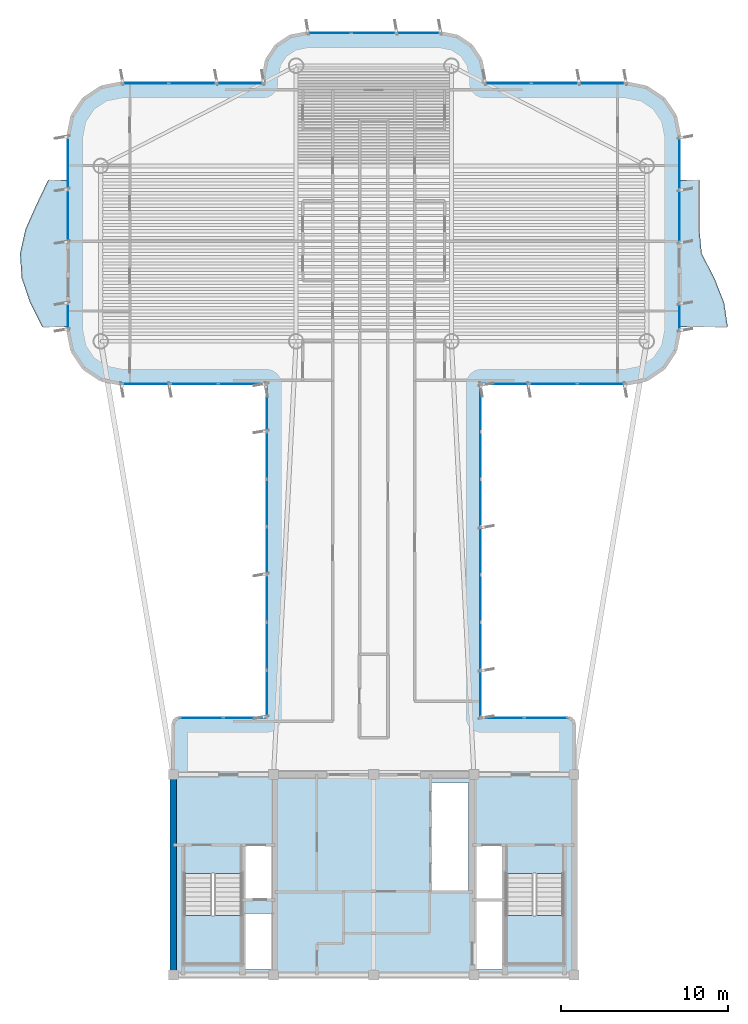
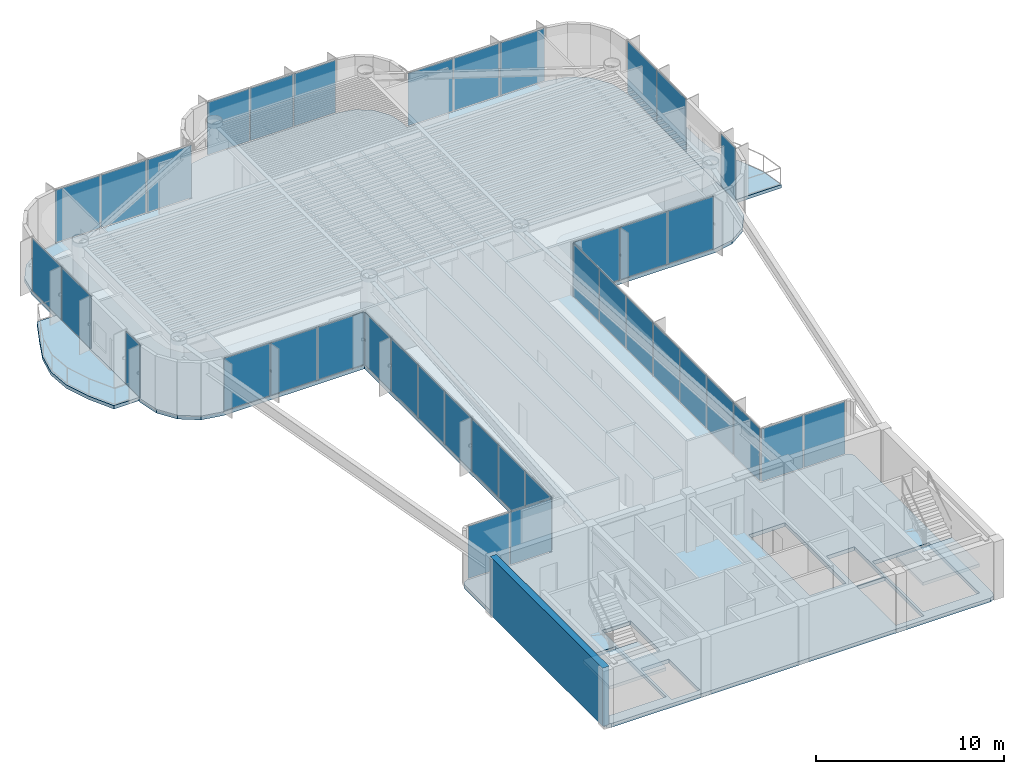
# One storey, part 9 of 16: 39 plates, 5 slabs, 1 wall, 15 elements without a shape of their own.
"""IFC4 building model written with IfcOpenShell, lengths in metres."""

from ifc_helpers import new_model, si_unit, direction, frame, frame_2d, origin, origin_2d, place, context, subcontext, project, spatial, polyline, rectangle, outline, extrude, source, transform, mapped, material, layer, layer_set, type_object, element, aggregate, save


model = new_model("IFC4")

# Units and contexts
model_context = context("Model", 3, precision=1e-05, world=origin(), true_north=direction((0.0, 1.0)))
body_context = subcontext(model_context, "Body", "Model", "MODEL_VIEW")
ifc_project = project(units=[si_unit("LENGTHUNIT", "METRE"), si_unit("AREAUNIT", "SQUARE_METRE"), si_unit("VOLUMEUNIT", "CUBIC_METRE"), si_unit("PLANEANGLEUNIT", "RADIAN"), si_unit("MASSUNIT", "GRAM", prefix="KILO")], contexts=[model_context])

# Site, building, storey
site_placement = place(None, origin())
site = spatial("IfcSite", under=ifc_project, at=site_placement, CompositionType="ELEMENT")
building_placement = place(site_placement, origin())
building = spatial("IfcBuilding", under=site, at=building_placement, Name="Brelvock Crest Care Tower", CompositionType="ELEMENT")
storey_placement = place(building_placement, frame((0.0, 0.0, 230.580078125)))
storey = spatial("IfcBuildingStorey", under=building, at=storey_placement, Name="L58", CompositionType="ELEMENT", Elevation=230.580078125)

# Slabs
ifc_material_1 = material(Name="Concrete N50 (50 MPa)", Category="concrete")
ifc_layer_1 = layer(ifc_material_1, 0.25, Name="SLB-FL3")
ifc_layer_set_1 = layer_set([ifc_layer_1], Name="Concrete N50 (50 MPa)")
slab_type_1 = type_object("IfcSlabType", Name="SLB-FL3", PredefinedType="FLOOR", material=ifc_layer_set_1)
slab_1_placement = place(storey_placement, frame((0.0, 0.0, -0.25)))
element("IfcSlab", 1, at=slab_1_placement, inside=storey, type_object=slab_type_1, Name="L58 Main Structural Slab", PredefinedType="FLOOR", context=body_context, shape_type="SweptSolid", body=[
    extrude(outline(polyline([(47.64990234375, 21.39990234375), (42.39990234375, 21.39990234375), (42.39990234375, 41.39990234375), (51.10009765625, 41.39990234375), (52.32470703125, 41.6435546875), (53.36279296875, 42.33740234375), (54.056396484375, 43.37548828125), (54.300048828125, 44.60009765625), (54.300048828125, 56.199951171875), (54.056396484375, 57.424560546875), (53.36279296875, 58.462646484375), (52.32470703125, 59.156494140625), (51.10009765625, 59.39990234375), (42.60009765625, 59.39990234375), (42.60009765625, 59.800048828125), (42.402099609375, 60.794921875), (41.83837890625, 61.638427734375), (40.9951171875, 62.2021484375), (40.0, 62.39990234375), (32.0, 62.39990234375), (31.0048828125, 62.2021484375), (30.16162109375, 61.638427734375), (29.597900390625, 60.794921875), (29.39990234375, 59.800048828125), (29.39990234375, 59.39990234375), (20.89990234375, 59.39990234375), (19.67529296875, 59.156494140625), (18.63720703125, 58.462646484375), (17.943603515625, 57.424560546875), (17.699951171875, 56.199951171875), (17.699951171875, 44.60009765625), (17.943603515625, 43.37548828125), (18.63720703125, 42.33740234375), (19.67529296875, 41.6435546875), (20.89990234375, 41.39990234375), (29.60009765625, 41.39990234375), (29.60009765625, 21.39990234375), (24.35009765625, 21.39990234375), (24.1025390625, 21.297607421875), (24.0, 21.050048828125), (24.0, 6.35009765625), (24.1025390625, 6.1025390625), (24.35009765625, 6.0), (47.64990234375, 6.0), (47.8974609375, 6.1025390625), (48.0, 6.35009765625), (48.0, 21.050048828125), (47.8974609375, 21.297607421875), (47.64990234375, 21.39990234375)]), holes=[polyline([(28.239990234375, 10.580078125), (29.97998046875, 10.580078125), (29.97998046875, 13.739990234375), (28.239990234375, 13.739990234375), (28.239990234375, 10.580078125)]), polyline([(42.02001953125, 10.580078125), (43.760009765625, 10.580078125), (43.760009765625, 13.739990234375), (42.02001953125, 13.739990234375), (42.02001953125, 10.580078125)]), polyline([(28.239990234375, 6.340087890625), (29.97998046875, 6.340087890625), (29.97998046875, 9.64990234375), (28.239990234375, 9.64990234375), (28.239990234375, 6.340087890625)]), polyline([(24.6298828125, 12.080078125), (24.6298828125, 6.699951171875), (28.110107421875, 6.699951171875), (28.110107421875, 12.080078125), (24.6298828125, 12.080078125)]), polyline([(43.889892578125, 12.080078125), (43.889892578125, 6.699951171875), (47.3701171875, 6.699951171875), (47.3701171875, 12.080078125), (43.889892578125, 12.080078125)]), polyline([(42.02001953125, 6.340087890625), (43.760009765625, 6.340087890625), (43.760009765625, 10.5), (42.02001953125, 10.5), (42.02001953125, 6.340087890625)]), polyline([(39.429931640625, 11.030029296875), (41.669921875, 11.030029296875), (41.669921875, 17.52001953125), (39.429931640625, 17.52001953125), (39.429931640625, 11.030029296875)])]), origin(), (0.0, 0.0, 1.0), 0.25),
])
ifc_layer_2 = layer(ifc_material_1, 0.219970703125, Name="SLB-WB1")
ifc_layer_set_2 = layer_set([ifc_layer_2], Name="Concrete N50 (50 MPa)")
slab_type_2 = type_object("IfcSlabType", Name="SLB-WB1", PredefinedType="FLOOR", material=ifc_layer_set_2)
slab_2_placement = place(storey_placement, frame((0.0, 0.0, -0.219970703125)))
element("IfcSlab", 2, at=slab_2_placement, inside=storey, type_object=slab_type_2, Name="L58 W Sinusoidal Wave Balcony Slab", PredefinedType="FLOOR", context=body_context, shape_type="SweptSolid", body=[
    extrude(outline(polyline([(17.699951171875, 53.60009765625), (16.5, 53.60009765625), (15.800537109375, 52.13330078125), (15.146728515625, 50.666748046875), (14.816650390625, 49.199951171875), (14.916748046875, 47.7333984375), (15.414794921875, 46.2666015625), (16.14990234375, 44.800048828125), (17.699951171875, 44.800048828125), (17.699951171875, 53.60009765625)])), origin(), (0.0, 0.0, 1.0), 0.219970703125),
])
slab_3_placement = place(storey_placement, frame((0.0, 0.0, -0.219970703125)))
element("IfcSlab", 3, at=slab_3_placement, inside=storey, type_object=slab_type_2, Name="L58 E Sinusoidal Wave Balcony Slab", PredefinedType="FLOOR", context=body_context, shape_type="SweptSolid", body=[
    extrude(outline(polyline([(54.300048828125, 44.800048828125), (57.199951171875, 44.800048828125), (56.982177734375, 46.2666015625), (56.399169921875, 47.7333984375), (55.638916015625, 49.199951171875), (55.5, 50.666748046875), (55.5, 52.13330078125), (55.5, 53.60009765625), (54.300048828125, 53.60009765625), (54.300048828125, 44.800048828125)])), origin(), (0.0, 0.0, 1.0), 0.219970703125),
])

# Stair, slab
ifc_material_2 = material(Name="Concrete N40 (40 MPa)", Category="concrete")
stair_type = type_object("IfcStairType", Name="ST-CORE1", PredefinedType="HALF_TURN_STAIR", material=ifc_material_2)
stair_1_placement = place(storey_placement, origin())
stair_1 = element("IfcStair", 4, at=stair_1_placement, inside=storey, type_object=stair_type, Name="L58 Fire-Isolated Core Stair ST-1", PredefinedType="HALF_TURN_STAIR")
ifc_layer_3 = layer(ifc_material_2, 0.199951171875, Name="STL-1")
ifc_layer_set_3 = layer_set([ifc_layer_3], Name="Concrete N40 (40 MPa)")
slab_type_3 = type_object("IfcSlabType", Name="STL-1", PredefinedType="LANDING", material=ifc_layer_set_3)
slab_4_placement = place(storey_placement, frame((0.0, 0.0, 1.68994140625)))
slab_4 = element("IfcSlab", 5, at=slab_4_placement, type_object=slab_type_3, Name="ST-1 landing 1", PredefinedType="LANDING", context=body_context, shape_type="SweptSolid", body=[
    extrude(outline(polyline([(24.6298828125, 9.56005859375), (24.6298828125, 6.699951171875), (28.110107421875, 6.699951171875), (28.110107421875, 9.56005859375), (24.6298828125, 9.56005859375)])), origin(), (0.0, 0.0, 1.0), 0.199951171875),
])
aggregate(stair_1, [slab_4])

stair_2_placement = place(storey_placement, origin())
stair_2 = element("IfcStair", 6, at=stair_2_placement, inside=storey, type_object=stair_type, Name="L58 Fire-Isolated Core Stair ST-2", PredefinedType="HALF_TURN_STAIR")
slab_5_placement = place(storey_placement, frame((0.0, 0.0, 1.68994140625)))
slab_5 = element("IfcSlab", 7, at=slab_5_placement, type_object=slab_type_3, Name="ST-2 landing 1", PredefinedType="LANDING", context=body_context, shape_type="SweptSolid", body=[
    extrude(outline(polyline([(43.889892578125, 9.56005859375), (43.889892578125, 6.699951171875), (47.3701171875, 6.699951171875), (47.3701171875, 9.56005859375), (43.889892578125, 9.56005859375)])), origin(), (0.0, 0.0, 1.0), 0.199951171875),
])
aggregate(stair_2, [slab_5])

# Curtain wall, plates
ifc_material_3 = material(Name="Dark Glass Double Glazed Low-E", Category="glass")
ifc_layer_4 = layer(ifc_material_3, 0.239990234375, Name="CWS-5")
ifc_layer_set_4 = layer_set([ifc_layer_4], Name="Dark Glass Double Glazed Low-E")
curtain_wall_type = type_object("IfcCurtainWallType", Name="CWS-5", PredefinedType="NOTDEFINED", material=ifc_layer_set_4)
curtain_wall_1_placement = place(storey_placement, origin())
curtain_wall_1 = element("IfcCurtainWall", 8, at=curtain_wall_1_placement, inside=storey, type_object=curtain_wall_type, Name="L58 Curtain Wall E10", PredefinedType="NOTDEFINED")
ifc_layer_5 = layer(ifc_material_3, 0.0380859375, Name="CWP-V2")
ifc_layer_set_5 = layer_set([ifc_layer_5], Name="Dark Glass Double Glazed Low-E")
plate_type = type_object("IfcPlateType", Name="CWP-V2", PredefinedType="CURTAIN_PANEL", material=ifc_layer_set_5)
shared_shape_1 = source(origin(), body_context, "Body", "SweptSolid", [
    extrude(rectangle(XDim=2.534912109375, YDim=0.035888671875, at=origin_2d()), origin(), (0.0, 0.0, 1.0), 3.409912109375),
])
plate_1_placement = place(storey_placement, frame((25.677490234375, 21.39990234375, 0.06005859375), z_axis=(0.0, 0.0, 1.0), x_axis=(1.0, 0.0, 0.0)))
plate_1 = element("IfcPlate", 9, at=plate_1_placement, type_object=plate_type, Name="CW-5 panel 1.1", PredefinedType="CURTAIN_PANEL", context=body_context, shape_type="MappedRepresentation", body=[
    mapped(shared_shape_1, transform((0.0, 0.0, 0.0), x_axis=(1.0, 0.0, 0.0), y_axis=(0.0, 1.0, 0.0), z_axis=(0.0, 0.0, 1.0), scale=1.0)),
])
plate_2_placement = place(storey_placement, frame((28.2724609375, 21.39990234375, 0.06005859375), z_axis=(0.0, 0.0, 1.0), x_axis=(1.0, 0.0, 0.0)))
plate_2 = element("IfcPlate", 10, at=plate_2_placement, type_object=plate_type, Name="CW-5 panel 2.1", PredefinedType="CURTAIN_PANEL", context=body_context, shape_type="MappedRepresentation", body=[
    mapped(shared_shape_1, transform((0.0, 0.0, 0.0), x_axis=(1.0, 0.0, 0.0), y_axis=(0.0, 1.0, 0.0), z_axis=(0.0, 0.0, 1.0), scale=1.0)),
])
aggregate(curtain_wall_1, [plate_1, plate_2])

curtain_wall_2_placement = place(storey_placement, origin())
curtain_wall_2 = element("IfcCurtainWall", 11, at=curtain_wall_2_placement, inside=storey, type_object=curtain_wall_type, Name="L58 Curtain Wall E46", PredefinedType="NOTDEFINED")
plate_3_placement = place(storey_placement, frame((43.7275390625, 21.39990234375, 0.06005859375), z_axis=(0.0, 0.0, 1.0), x_axis=(1.0, 0.0, 0.0)))
plate_3 = element("IfcPlate", 12, at=plate_3_placement, type_object=plate_type, Name="CW-5 panel 1.1", PredefinedType="CURTAIN_PANEL", context=body_context, shape_type="MappedRepresentation", body=[
    mapped(shared_shape_1, transform((0.0, 0.0, 0.0), x_axis=(1.0, 0.0, 0.0), y_axis=(0.0, 1.0, 0.0), z_axis=(0.0, 0.0, 1.0), scale=1.0)),
])
plate_4_placement = place(storey_placement, frame((46.322509765625, 21.39990234375, 0.06005859375), z_axis=(0.0, 0.0, 1.0), x_axis=(1.0, 0.0, 0.0)))
plate_4 = element("IfcPlate", 13, at=plate_4_placement, type_object=plate_type, Name="CW-5 panel 2.1", PredefinedType="CURTAIN_PANEL", context=body_context, shape_type="MappedRepresentation", body=[
    mapped(shared_shape_1, transform((0.0, 0.0, 0.0), x_axis=(1.0, 0.0, 0.0), y_axis=(0.0, 1.0, 0.0), z_axis=(0.0, 0.0, 1.0), scale=1.0)),
])
aggregate(curtain_wall_2, [plate_3, plate_4])

# Curtain wall, plate
curtain_wall_3_placement = place(storey_placement, origin())
curtain_wall_3 = element("IfcCurtainWall", 14, at=curtain_wall_3_placement, inside=storey, type_object=curtain_wall_type, Name="L58 Curtain Wall E17A", PredefinedType="NOTDEFINED")
shared_shape_2 = source(origin(), body_context, "Body", "SweptSolid", [
    extrude(rectangle(XDim=1.530029296875, YDim=0.035888671875, at=origin_2d()), origin(), (0.0, 0.0, 1.0), 3.409912109375),
])
plate_5_placement = place(storey_placement, frame((17.699951171875, 45.425048828125, 0.06005859375), z_axis=(0.0, 0.0, 1.0), x_axis=(0.0, 1.0, 0.0)))
plate_5 = element("IfcPlate", 15, at=plate_5_placement, type_object=plate_type, Name="CW-5 panel 1.1", PredefinedType="CURTAIN_PANEL", context=body_context, shape_type="MappedRepresentation", body=[
    mapped(shared_shape_2, transform((0.0, 0.0, 0.0), x_axis=(1.0, 0.0, 0.0), y_axis=(0.0, 1.0, 0.0), z_axis=(0.0, 0.0, 1.0), scale=1.0)),
])
aggregate(curtain_wall_3, [plate_5])

curtain_wall_4_placement = place(storey_placement, origin())
curtain_wall_4 = element("IfcCurtainWall", 16, at=curtain_wall_4_placement, inside=storey, type_object=curtain_wall_type, Name="L58 Curtain Wall E39B", PredefinedType="NOTDEFINED")
plate_6_placement = place(storey_placement, frame((54.300048828125, 45.425048828125, 0.06005859375), z_axis=(0.0, 0.0, 1.0), x_axis=(0.0, -1.0, 0.0)))
plate_6 = element("IfcPlate", 17, at=plate_6_placement, type_object=plate_type, Name="CW-5 panel 1.1", PredefinedType="CURTAIN_PANEL", context=body_context, shape_type="MappedRepresentation", body=[
    mapped(shared_shape_2, transform((0.0, 0.0, 0.0), x_axis=(1.0, 0.0, 0.0), y_axis=(0.0, 1.0, 0.0), z_axis=(0.0, 0.0, 1.0), scale=1.0)),
])
aggregate(curtain_wall_4, [plate_6])

# Curtain wall, plates
curtain_wall_5_placement = place(storey_placement, origin())
curtain_wall_5 = element("IfcCurtainWall", 18, at=curtain_wall_5_placement, inside=storey, type_object=curtain_wall_type, Name="L58 Curtain Wall E11", PredefinedType="NOTDEFINED")
shared_shape_3 = source(origin(), body_context, "Body", "SweptSolid", [
    extrude(rectangle(XDim=2.76708984375, YDim=0.035888671875, at=origin_2d()), origin(), (0.0, 0.0, 1.0), 3.409912109375),
])
plate_7_placement = place(storey_placement, frame((29.60009765625, 22.843505859375, 0.06005859375), z_axis=(0.0, 0.0, 1.0), x_axis=(0.0, 1.0, 0.0)))
plate_7 = element("IfcPlate", 19, at=plate_7_placement, type_object=plate_type, Name="CW-5 panel 1.1", PredefinedType="CURTAIN_PANEL", context=body_context, shape_type="MappedRepresentation", body=[
    mapped(shared_shape_3, transform((0.0, 0.0, 0.0), x_axis=(1.0, 0.0, 0.0), y_axis=(0.0, 1.0, 0.0), z_axis=(0.0, 0.0, 1.0), scale=1.0)),
])
plate_8_placement = place(storey_placement, frame((29.60009765625, 39.95654296875, 0.06005859375), z_axis=(0.0, 0.0, 1.0), x_axis=(0.0, 1.0, 0.0)))
plate_8 = element("IfcPlate", 20, at=plate_8_placement, type_object=plate_type, Name="CW-5 panel 7.1", PredefinedType="CURTAIN_PANEL", context=body_context, shape_type="MappedRepresentation", body=[
    mapped(shared_shape_3, transform((0.0, 0.0, 0.0), x_axis=(1.0, 0.0, 0.0), y_axis=(0.0, 1.0, 0.0), z_axis=(0.0, 0.0, 1.0), scale=1.0)),
])

curtain_wall_6_placement = place(storey_placement, origin())
curtain_wall_6 = element("IfcCurtainWall", 21, at=curtain_wall_6_placement, inside=storey, type_object=curtain_wall_type, Name="L58 Curtain Wall E45", PredefinedType="NOTDEFINED")
plate_9_placement = place(storey_placement, frame((42.39990234375, 39.95654296875, 0.06005859375), z_axis=(0.0, 0.0, 1.0), x_axis=(0.0, -1.0, 0.0)))
plate_9 = element("IfcPlate", 22, at=plate_9_placement, type_object=plate_type, Name="CW-5 panel 1.1", PredefinedType="CURTAIN_PANEL", context=body_context, shape_type="MappedRepresentation", body=[
    mapped(shared_shape_3, transform((0.0, 0.0, 0.0), x_axis=(1.0, 0.0, 0.0), y_axis=(0.0, 1.0, 0.0), z_axis=(0.0, 0.0, 1.0), scale=1.0)),
])
plate_10_placement = place(storey_placement, frame((42.39990234375, 22.843505859375, 0.06005859375), z_axis=(0.0, 0.0, 1.0), x_axis=(0.0, -1.0, 0.0)))
plate_10 = element("IfcPlate", 23, at=plate_10_placement, type_object=plate_type, Name="CW-5 panel 7.1", PredefinedType="CURTAIN_PANEL", context=body_context, shape_type="MappedRepresentation", body=[
    mapped(shared_shape_3, transform((0.0, 0.0, 0.0), x_axis=(1.0, 0.0, 0.0), y_axis=(0.0, 1.0, 0.0), z_axis=(0.0, 0.0, 1.0), scale=1.0)),
])

# Plate
shared_shape_4 = source(origin(), body_context, "Body", "SweptSolid", [
    extrude(rectangle(XDim=2.797119140625, YDim=0.035888671875, at=origin_2d()), origin(), (0.0, 0.0, 1.0), 3.409912109375),
])
plate_11_placement = place(storey_placement, frame((29.60009765625, 25.685791015625, 0.06005859375), z_axis=(0.0, 0.0, 1.0), x_axis=(0.0, 1.0, 0.0)))
plate_11 = element("IfcPlate", 24, at=plate_11_placement, type_object=plate_type, Name="CW-5 panel 2.1", PredefinedType="CURTAIN_PANEL", context=body_context, shape_type="MappedRepresentation", body=[
    mapped(shared_shape_4, transform((0.0, 0.0, 0.0), x_axis=(1.0, 0.0, 0.0), y_axis=(0.0, 1.0, 0.0), z_axis=(0.0, 0.0, 1.0), scale=1.0)),
])

plate_12_placement = place(storey_placement, frame((29.60009765625, 28.54296875, 0.06005859375), z_axis=(0.0, 0.0, 1.0), x_axis=(0.0, 1.0, 0.0)))
plate_12 = element("IfcPlate", 25, at=plate_12_placement, type_object=plate_type, Name="CW-5 panel 3.1", PredefinedType="CURTAIN_PANEL", context=body_context, shape_type="MappedRepresentation", body=[
    mapped(shared_shape_4, transform((0.0, 0.0, 0.0), x_axis=(1.0, 0.0, 0.0), y_axis=(0.0, 1.0, 0.0), z_axis=(0.0, 0.0, 1.0), scale=1.0)),
])

plate_13_placement = place(storey_placement, frame((29.60009765625, 31.39990234375, 0.06005859375), z_axis=(0.0, 0.0, 1.0), x_axis=(0.0, 1.0, 0.0)))
plate_13 = element("IfcPlate", 26, at=plate_13_placement, type_object=plate_type, Name="CW-5 panel 4.1", PredefinedType="CURTAIN_PANEL", context=body_context, shape_type="MappedRepresentation", body=[
    mapped(shared_shape_4, transform((0.0, 0.0, 0.0), x_axis=(1.0, 0.0, 0.0), y_axis=(0.0, 1.0, 0.0), z_axis=(0.0, 0.0, 1.0), scale=1.0)),
])

plate_14_placement = place(storey_placement, frame((29.60009765625, 34.257080078125, 0.06005859375), z_axis=(0.0, 0.0, 1.0), x_axis=(0.0, 1.0, 0.0)))
plate_14 = element("IfcPlate", 27, at=plate_14_placement, type_object=plate_type, Name="CW-5 panel 5.1", PredefinedType="CURTAIN_PANEL", context=body_context, shape_type="MappedRepresentation", body=[
    mapped(shared_shape_4, transform((0.0, 0.0, 0.0), x_axis=(1.0, 0.0, 0.0), y_axis=(0.0, 1.0, 0.0), z_axis=(0.0, 0.0, 1.0), scale=1.0)),
])

plate_15_placement = place(storey_placement, frame((29.60009765625, 37.1142578125, 0.06005859375), z_axis=(0.0, 0.0, 1.0), x_axis=(0.0, 1.0, 0.0)))
plate_15 = element("IfcPlate", 28, at=plate_15_placement, type_object=plate_type, Name="CW-5 panel 6.1", PredefinedType="CURTAIN_PANEL", context=body_context, shape_type="MappedRepresentation", body=[
    mapped(shared_shape_4, transform((0.0, 0.0, 0.0), x_axis=(1.0, 0.0, 0.0), y_axis=(0.0, 1.0, 0.0), z_axis=(0.0, 0.0, 1.0), scale=1.0)),
])

aggregate(curtain_wall_5, [plate_7, plate_11, plate_12, plate_13, plate_14, plate_15, plate_8])

plate_16_placement = place(storey_placement, frame((42.39990234375, 37.1142578125, 0.06005859375), z_axis=(0.0, 0.0, 1.0), x_axis=(0.0, -1.0, 0.0)))
plate_16 = element("IfcPlate", 29, at=plate_16_placement, type_object=plate_type, Name="CW-5 panel 2.1", PredefinedType="CURTAIN_PANEL", context=body_context, shape_type="MappedRepresentation", body=[
    mapped(shared_shape_4, transform((0.0, 0.0, 0.0), x_axis=(1.0, 0.0, 0.0), y_axis=(0.0, 1.0, 0.0), z_axis=(0.0, 0.0, 1.0), scale=1.0)),
])

plate_17_placement = place(storey_placement, frame((42.39990234375, 34.257080078125, 0.06005859375), z_axis=(0.0, 0.0, 1.0), x_axis=(0.0, -1.0, 0.0)))
plate_17 = element("IfcPlate", 30, at=plate_17_placement, type_object=plate_type, Name="CW-5 panel 3.1", PredefinedType="CURTAIN_PANEL", context=body_context, shape_type="MappedRepresentation", body=[
    mapped(shared_shape_4, transform((0.0, 0.0, 0.0), x_axis=(1.0, 0.0, 0.0), y_axis=(0.0, 1.0, 0.0), z_axis=(0.0, 0.0, 1.0), scale=1.0)),
])

plate_18_placement = place(storey_placement, frame((42.39990234375, 31.39990234375, 0.06005859375), z_axis=(0.0, 0.0, 1.0), x_axis=(0.0, -1.0, 0.0)))
plate_18 = element("IfcPlate", 31, at=plate_18_placement, type_object=plate_type, Name="CW-5 panel 4.1", PredefinedType="CURTAIN_PANEL", context=body_context, shape_type="MappedRepresentation", body=[
    mapped(shared_shape_4, transform((0.0, 0.0, 0.0), x_axis=(1.0, 0.0, 0.0), y_axis=(0.0, 1.0, 0.0), z_axis=(0.0, 0.0, 1.0), scale=1.0)),
])

plate_19_placement = place(storey_placement, frame((42.39990234375, 28.54296875, 0.06005859375), z_axis=(0.0, 0.0, 1.0), x_axis=(0.0, -1.0, 0.0)))
plate_19 = element("IfcPlate", 32, at=plate_19_placement, type_object=plate_type, Name="CW-5 panel 5.1", PredefinedType="CURTAIN_PANEL", context=body_context, shape_type="MappedRepresentation", body=[
    mapped(shared_shape_4, transform((0.0, 0.0, 0.0), x_axis=(1.0, 0.0, 0.0), y_axis=(0.0, 1.0, 0.0), z_axis=(0.0, 0.0, 1.0), scale=1.0)),
])

plate_20_placement = place(storey_placement, frame((42.39990234375, 25.685791015625, 0.06005859375), z_axis=(0.0, 0.0, 1.0), x_axis=(0.0, -1.0, 0.0)))
plate_20 = element("IfcPlate", 33, at=plate_20_placement, type_object=plate_type, Name="CW-5 panel 6.1", PredefinedType="CURTAIN_PANEL", context=body_context, shape_type="MappedRepresentation", body=[
    mapped(shared_shape_4, transform((0.0, 0.0, 0.0), x_axis=(1.0, 0.0, 0.0), y_axis=(0.0, 1.0, 0.0), z_axis=(0.0, 0.0, 1.0), scale=1.0)),
])

aggregate(curtain_wall_6, [plate_9, plate_16, plate_17, plate_18, plate_19, plate_20, plate_10])

# Curtain wall, plates
curtain_wall_7_placement = place(storey_placement, origin())
curtain_wall_7 = element("IfcCurtainWall", 34, at=curtain_wall_7_placement, inside=storey, type_object=curtain_wall_type, Name="L58 Curtain Wall E12", PredefinedType="NOTDEFINED")
shared_shape_5 = source(origin(), body_context, "Body", "SweptSolid", [
    extrude(rectangle(XDim=2.81005859375, YDim=0.035888671875, at=origin_2d()), origin(), (0.0, 0.0, 1.0), 3.409912109375),
])
plate_21_placement = place(storey_placement, frame((28.135009765625, 41.39990234375, 0.06005859375), z_axis=(0.0, 0.0, 1.0), x_axis=(-1.0, 0.0, 0.0)))
plate_21 = element("IfcPlate", 35, at=plate_21_placement, type_object=plate_type, Name="CW-5 panel 1.1", PredefinedType="CURTAIN_PANEL", context=body_context, shape_type="MappedRepresentation", body=[
    mapped(shared_shape_5, transform((0.0, 0.0, 0.0), x_axis=(1.0, 0.0, 0.0), y_axis=(0.0, 1.0, 0.0), z_axis=(0.0, 0.0, 1.0), scale=1.0)),
])
plate_22_placement = place(storey_placement, frame((22.364990234375, 41.39990234375, 0.06005859375), z_axis=(0.0, 0.0, 1.0), x_axis=(-1.0, 0.0, 0.0)))
plate_22 = element("IfcPlate", 36, at=plate_22_placement, type_object=plate_type, Name="CW-5 panel 3.1", PredefinedType="CURTAIN_PANEL", context=body_context, shape_type="MappedRepresentation", body=[
    mapped(shared_shape_5, transform((0.0, 0.0, 0.0), x_axis=(1.0, 0.0, 0.0), y_axis=(0.0, 1.0, 0.0), z_axis=(0.0, 0.0, 1.0), scale=1.0)),
])

curtain_wall_8_placement = place(storey_placement, origin())
curtain_wall_8 = element("IfcCurtainWall", 37, at=curtain_wall_8_placement, inside=storey, type_object=curtain_wall_type, Name="L58 Curtain Wall E44", PredefinedType="NOTDEFINED")
plate_23_placement = place(storey_placement, frame((49.635009765625, 41.39990234375, 0.06005859375), z_axis=(0.0, 0.0, 1.0), x_axis=(-1.0, 0.0, 0.0)))
plate_23 = element("IfcPlate", 38, at=plate_23_placement, type_object=plate_type, Name="CW-5 panel 1.1", PredefinedType="CURTAIN_PANEL", context=body_context, shape_type="MappedRepresentation", body=[
    mapped(shared_shape_5, transform((0.0, 0.0, 0.0), x_axis=(1.0, 0.0, 0.0), y_axis=(0.0, 1.0, 0.0), z_axis=(0.0, 0.0, 1.0), scale=1.0)),
])
plate_24_placement = place(storey_placement, frame((43.864990234375, 41.39990234375, 0.06005859375), z_axis=(0.0, 0.0, 1.0), x_axis=(-1.0, 0.0, 0.0)))
plate_24 = element("IfcPlate", 39, at=plate_24_placement, type_object=plate_type, Name="CW-5 panel 3.1", PredefinedType="CURTAIN_PANEL", context=body_context, shape_type="MappedRepresentation", body=[
    mapped(shared_shape_5, transform((0.0, 0.0, 0.0), x_axis=(1.0, 0.0, 0.0), y_axis=(0.0, 1.0, 0.0), z_axis=(0.0, 0.0, 1.0), scale=1.0)),
])

# Plate
shared_shape_6 = source(origin(), body_context, "Body", "SweptSolid", [
    extrude(rectangle(XDim=2.840087890625, YDim=0.035888671875, at=origin_2d()), origin(), (0.0, 0.0, 1.0), 3.409912109375),
])
plate_25_placement = place(storey_placement, frame((25.25, 41.39990234375, 0.06005859375), z_axis=(0.0, 0.0, 1.0), x_axis=(-1.0, 0.0, 0.0)))
plate_25 = element("IfcPlate", 40, at=plate_25_placement, type_object=plate_type, Name="CW-5 panel 2.1", PredefinedType="CURTAIN_PANEL", context=body_context, shape_type="MappedRepresentation", body=[
    mapped(shared_shape_6, transform((0.0, 0.0, 0.0), x_axis=(1.0, 0.0, 0.0), y_axis=(0.0, 1.0, 0.0), z_axis=(0.0, 0.0, 1.0), scale=1.0)),
])

aggregate(curtain_wall_7, [plate_21, plate_25, plate_22])

plate_26_placement = place(storey_placement, frame((46.75, 41.39990234375, 0.06005859375), z_axis=(0.0, 0.0, 1.0), x_axis=(-1.0, 0.0, 0.0)))
plate_26 = element("IfcPlate", 41, at=plate_26_placement, type_object=plate_type, Name="CW-5 panel 2.1", PredefinedType="CURTAIN_PANEL", context=body_context, shape_type="MappedRepresentation", body=[
    mapped(shared_shape_6, transform((0.0, 0.0, 0.0), x_axis=(1.0, 0.0, 0.0), y_axis=(0.0, 1.0, 0.0), z_axis=(0.0, 0.0, 1.0), scale=1.0)),
])

aggregate(curtain_wall_8, [plate_23, plate_26, plate_24])

# Curtain wall, plates
curtain_wall_9_placement = place(storey_placement, origin())
curtain_wall_9 = element("IfcCurtainWall", 42, at=curtain_wall_9_placement, inside=storey, type_object=curtain_wall_type, Name="L58 Curtain Wall E17B", PredefinedType="NOTDEFINED")
shared_shape_7 = source(origin(), body_context, "Body", "SweptSolid", [
    extrude(rectangle(XDim=3.0849609375, YDim=0.035888671875, at=origin_2d()), origin(), (0.0, 0.0, 1.0), 3.409912109375),
])
plate_27_placement = place(storey_placement, frame((17.699951171875, 51.452392578125, 0.06005859375), z_axis=(0.0, 0.0, 1.0), x_axis=(0.0, 1.0, 0.0)))
plate_27 = element("IfcPlate", 43, at=plate_27_placement, type_object=plate_type, Name="CW-5 panel 1.1", PredefinedType="CURTAIN_PANEL", context=body_context, shape_type="MappedRepresentation", body=[
    mapped(shared_shape_7, transform((0.0, 0.0, 0.0), x_axis=(1.0, 0.0, 0.0), y_axis=(0.0, 1.0, 0.0), z_axis=(0.0, 0.0, 1.0), scale=1.0)),
])
plate_28_placement = place(storey_placement, frame((17.699951171875, 54.597412109375, 0.06005859375), z_axis=(0.0, 0.0, 1.0), x_axis=(0.0, 1.0, 0.0)))
plate_28 = element("IfcPlate", 44, at=plate_28_placement, type_object=plate_type, Name="CW-5 panel 2.1", PredefinedType="CURTAIN_PANEL", context=body_context, shape_type="MappedRepresentation", body=[
    mapped(shared_shape_7, transform((0.0, 0.0, 0.0), x_axis=(1.0, 0.0, 0.0), y_axis=(0.0, 1.0, 0.0), z_axis=(0.0, 0.0, 1.0), scale=1.0)),
])
aggregate(curtain_wall_9, [plate_27, plate_28])

curtain_wall_10_placement = place(storey_placement, origin())
curtain_wall_10 = element("IfcCurtainWall", 45, at=curtain_wall_10_placement, inside=storey, type_object=curtain_wall_type, Name="L58 Curtain Wall E39A", PredefinedType="NOTDEFINED")
plate_29_placement = place(storey_placement, frame((54.300048828125, 54.597412109375, 0.06005859375), z_axis=(0.0, 0.0, 1.0), x_axis=(0.0, -1.0, 0.0)))
plate_29 = element("IfcPlate", 46, at=plate_29_placement, type_object=plate_type, Name="CW-5 panel 1.1", PredefinedType="CURTAIN_PANEL", context=body_context, shape_type="MappedRepresentation", body=[
    mapped(shared_shape_7, transform((0.0, 0.0, 0.0), x_axis=(1.0, 0.0, 0.0), y_axis=(0.0, 1.0, 0.0), z_axis=(0.0, 0.0, 1.0), scale=1.0)),
])
plate_30_placement = place(storey_placement, frame((54.300048828125, 51.452392578125, 0.06005859375), z_axis=(0.0, 0.0, 1.0), x_axis=(0.0, -1.0, 0.0)))
plate_30 = element("IfcPlate", 47, at=plate_30_placement, type_object=plate_type, Name="CW-5 panel 2.1", PredefinedType="CURTAIN_PANEL", context=body_context, shape_type="MappedRepresentation", body=[
    mapped(shared_shape_7, transform((0.0, 0.0, 0.0), x_axis=(1.0, 0.0, 0.0), y_axis=(0.0, 1.0, 0.0), z_axis=(0.0, 0.0, 1.0), scale=1.0)),
])
aggregate(curtain_wall_10, [plate_29, plate_30])

curtain_wall_11_placement = place(storey_placement, origin())
curtain_wall_11 = element("IfcCurtainWall", 48, at=curtain_wall_11_placement, inside=storey, type_object=curtain_wall_type, Name="L58 Curtain Wall E22", PredefinedType="NOTDEFINED")
shared_shape_8 = source(origin(), body_context, "Body", "SweptSolid", [
    extrude(rectangle(XDim=2.743408203125, YDim=0.035888671875, at=origin_2d()), origin(), (0.0, 0.0, 1.0), 3.409912109375),
])
plate_31_placement = place(storey_placement, frame((22.331787109375, 59.39990234375, 0.06005859375), z_axis=(0.0, 0.0, 1.0), x_axis=(1.0, 0.0, 0.0)))
plate_31 = element("IfcPlate", 49, at=plate_31_placement, type_object=plate_type, Name="CW-5 panel 1.1", PredefinedType="CURTAIN_PANEL", context=body_context, shape_type="MappedRepresentation", body=[
    mapped(shared_shape_8, transform((0.0, 0.0, 0.0), x_axis=(1.0, 0.0, 0.0), y_axis=(0.0, 1.0, 0.0), z_axis=(0.0, 0.0, 1.0), scale=1.0)),
])
plate_32_placement = place(storey_placement, frame((27.96826171875, 59.39990234375, 0.06005859375), z_axis=(0.0, 0.0, 1.0), x_axis=(1.0, 0.0, 0.0)))
plate_32 = element("IfcPlate", 50, at=plate_32_placement, type_object=plate_type, Name="CW-5 panel 3.1", PredefinedType="CURTAIN_PANEL", context=body_context, shape_type="MappedRepresentation", body=[
    mapped(shared_shape_8, transform((0.0, 0.0, 0.0), x_axis=(1.0, 0.0, 0.0), y_axis=(0.0, 1.0, 0.0), z_axis=(0.0, 0.0, 1.0), scale=1.0)),
])

curtain_wall_12_placement = place(storey_placement, origin())
curtain_wall_12 = element("IfcCurtainWall", 51, at=curtain_wall_12_placement, inside=storey, type_object=curtain_wall_type, Name="L58 Curtain Wall E34", PredefinedType="NOTDEFINED")
plate_33_placement = place(storey_placement, frame((44.03173828125, 59.39990234375, 0.06005859375), z_axis=(0.0, 0.0, 1.0), x_axis=(1.0, 0.0, 0.0)))
plate_33 = element("IfcPlate", 52, at=plate_33_placement, type_object=plate_type, Name="CW-5 panel 1.1", PredefinedType="CURTAIN_PANEL", context=body_context, shape_type="MappedRepresentation", body=[
    mapped(shared_shape_8, transform((0.0, 0.0, 0.0), x_axis=(1.0, 0.0, 0.0), y_axis=(0.0, 1.0, 0.0), z_axis=(0.0, 0.0, 1.0), scale=1.0)),
])
plate_34_placement = place(storey_placement, frame((49.668212890625, 59.39990234375, 0.06005859375), z_axis=(0.0, 0.0, 1.0), x_axis=(1.0, 0.0, 0.0)))
plate_34 = element("IfcPlate", 53, at=plate_34_placement, type_object=plate_type, Name="CW-5 panel 3.1", PredefinedType="CURTAIN_PANEL", context=body_context, shape_type="MappedRepresentation", body=[
    mapped(shared_shape_8, transform((0.0, 0.0, 0.0), x_axis=(1.0, 0.0, 0.0), y_axis=(0.0, 1.0, 0.0), z_axis=(0.0, 0.0, 1.0), scale=1.0)),
])

# Plate
shared_shape_9 = source(origin(), body_context, "Body", "SweptSolid", [
    extrude(rectangle(XDim=2.7734375, YDim=0.035888671875, at=origin_2d()), origin(), (0.0, 0.0, 1.0), 3.409912109375),
])
plate_35_placement = place(storey_placement, frame((25.14990234375, 59.39990234375, 0.06005859375), z_axis=(0.0, 0.0, 1.0), x_axis=(1.0, 0.0, 0.0)))
plate_35 = element("IfcPlate", 54, at=plate_35_placement, type_object=plate_type, Name="CW-5 panel 2.1", PredefinedType="CURTAIN_PANEL", context=body_context, shape_type="MappedRepresentation", body=[
    mapped(shared_shape_9, transform((0.0, 0.0, 0.0), x_axis=(1.0, 0.0, 0.0), y_axis=(0.0, 1.0, 0.0), z_axis=(0.0, 0.0, 1.0), scale=1.0)),
])

aggregate(curtain_wall_11, [plate_31, plate_35, plate_32])

plate_36_placement = place(storey_placement, frame((46.85009765625, 59.39990234375, 0.06005859375), z_axis=(0.0, 0.0, 1.0), x_axis=(1.0, 0.0, 0.0)))
plate_36 = element("IfcPlate", 55, at=plate_36_placement, type_object=plate_type, Name="CW-5 panel 2.1", PredefinedType="CURTAIN_PANEL", context=body_context, shape_type="MappedRepresentation", body=[
    mapped(shared_shape_9, transform((0.0, 0.0, 0.0), x_axis=(1.0, 0.0, 0.0), y_axis=(0.0, 1.0, 0.0), z_axis=(0.0, 0.0, 1.0), scale=1.0)),
])

aggregate(curtain_wall_12, [plate_33, plate_36, plate_34])

# Curtain wall, plates
curtain_wall_13_placement = place(storey_placement, origin())
curtain_wall_13 = element("IfcCurtainWall", 56, at=curtain_wall_13_placement, inside=storey, type_object=curtain_wall_type, Name="L58 Curtain Wall E28", PredefinedType="NOTDEFINED")
shared_shape_10 = source(origin(), body_context, "Body", "SweptSolid", [
    extrude(rectangle(XDim=2.57666015625, YDim=0.035888671875, at=origin_2d()), origin(), (0.0, 0.0, 1.0), 3.409912109375),
])
plate_37_placement = place(storey_placement, frame((33.348388671875, 62.39990234375, 0.06005859375), z_axis=(0.0, 0.0, 1.0), x_axis=(1.0, 0.0, 0.0)))
plate_37 = element("IfcPlate", 57, at=plate_37_placement, type_object=plate_type, Name="CW-5 panel 1.1", PredefinedType="CURTAIN_PANEL", context=body_context, shape_type="MappedRepresentation", body=[
    mapped(shared_shape_10, transform((0.0, 0.0, 0.0), x_axis=(1.0, 0.0, 0.0), y_axis=(0.0, 1.0, 0.0), z_axis=(0.0, 0.0, 1.0), scale=1.0)),
])
plate_38_placement = place(storey_placement, frame((38.651611328125, 62.39990234375, 0.06005859375), z_axis=(0.0, 0.0, 1.0), x_axis=(1.0, 0.0, 0.0)))
plate_38 = element("IfcPlate", 58, at=plate_38_placement, type_object=plate_type, Name="CW-5 panel 3.1", PredefinedType="CURTAIN_PANEL", context=body_context, shape_type="MappedRepresentation", body=[
    mapped(shared_shape_10, transform((0.0, 0.0, 0.0), x_axis=(1.0, 0.0, 0.0), y_axis=(0.0, 1.0, 0.0), z_axis=(0.0, 0.0, 1.0), scale=1.0)),
])
shared_shape_11 = source(origin(), body_context, "Body", "SweptSolid", [
    extrude(rectangle(XDim=2.606689453125, YDim=0.035888671875, at=origin_2d()), origin(), (0.0, 0.0, 1.0), 3.409912109375),
])
plate_39_placement = place(storey_placement, frame((36.0, 62.39990234375, 0.06005859375), z_axis=(0.0, 0.0, 1.0), x_axis=(1.0, 0.0, 0.0)))
plate_39 = element("IfcPlate", 59, at=plate_39_placement, type_object=plate_type, Name="CW-5 panel 2.1", PredefinedType="CURTAIN_PANEL", context=body_context, shape_type="MappedRepresentation", body=[
    mapped(shared_shape_11, transform((0.0, 0.0, 0.0), x_axis=(1.0, 0.0, 0.0), y_axis=(0.0, 1.0, 0.0), z_axis=(0.0, 0.0, 1.0), scale=1.0)),
])
aggregate(curtain_wall_13, [plate_37, plate_39, plate_38])

# Wall
ifc_material_4 = material(Name="Concrete S65 (65 MPa)", Category="concrete")
ifc_layer_6 = layer(ifc_material_4, 0.39990234375, Name="WL-CS4")
ifc_layer_set_6 = layer_set([ifc_layer_6], Name="Concrete S65 (65 MPa)")
wall_type = type_object("IfcWallType", Name="WL-CS4", PredefinedType="SHEAR", material=ifc_layer_set_6)
wall_placement = place(storey_placement, frame((24.0, 6.0, 0.0), z_axis=(0.0, 0.0, 1.0), x_axis=(0.0, 1.0, 0.0)))
element("IfcWall", 60, at=wall_placement, inside=storey, type_object=wall_type, Name="L58 Core West Shear Wall", PredefinedType="SHEAR", context=body_context, shape_type="SweptSolid", body=[
    extrude(rectangle(XDim=12.0, YDim=0.39990234375, at=frame_2d((6.0, 0.0))), origin(), (0.0, 0.0, 1.0), 3.780029296875),
])

save(model, "model.ifc")
